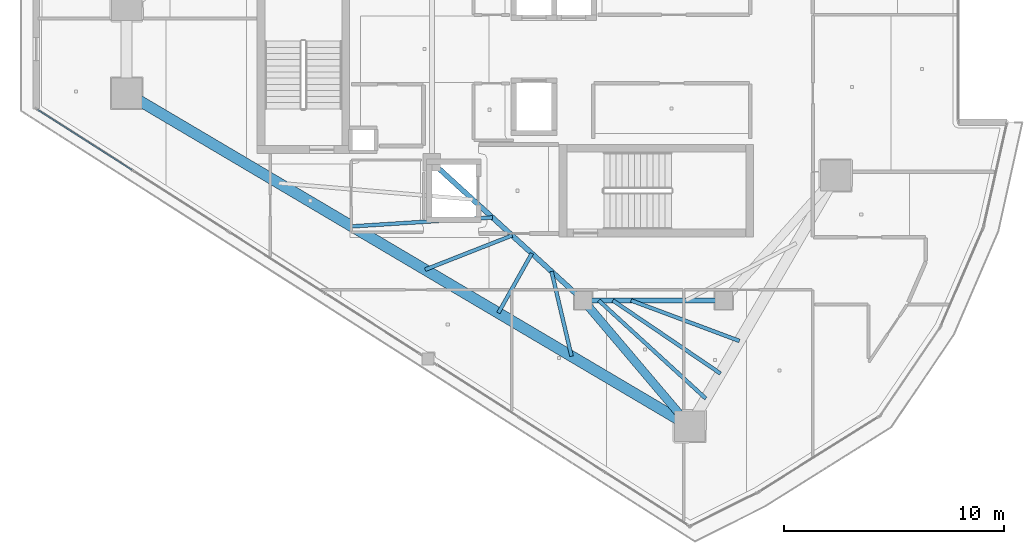
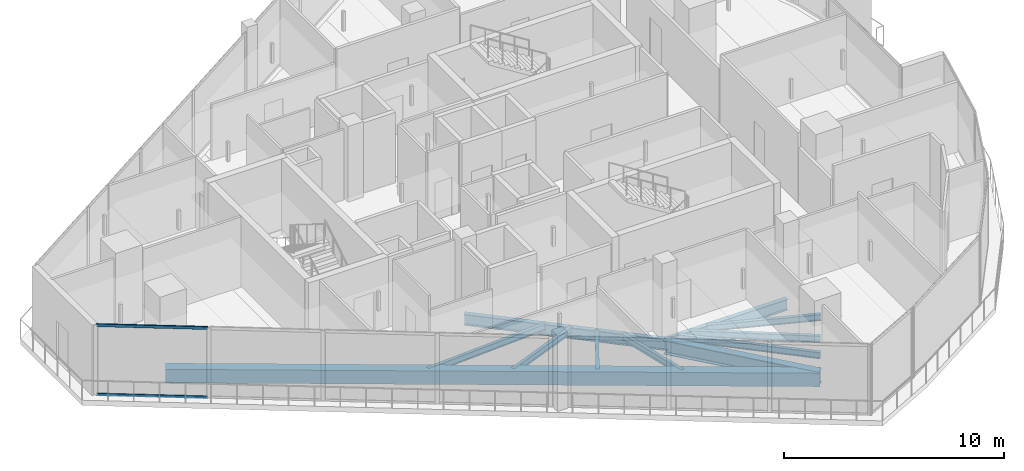
# One storey, part 4 of 23: 11 beams, 2 members, 1 element without a shape of its own.
"""IFC4 building model written with IfcOpenShell, lengths in metres."""

from ifc_helpers import new_model, si_unit, direction, frame, origin, origin_2d, place, context, subcontext, project, spatial, rectangle, hollow_rectangle, i_section, extrude, material, layer, layer_set, material_profile, profile_set, type_object, element, aggregate, save


model = new_model("IFC4")

# Units and contexts
model_context = context("Model", 3, precision=1e-05, world=origin(), true_north=direction((0.0, 1.0)))
body_context = subcontext(model_context, "Body", "Model", "MODEL_VIEW")
ifc_project = project(units=[si_unit("LENGTHUNIT", "METRE"), si_unit("AREAUNIT", "SQUARE_METRE"), si_unit("VOLUMEUNIT", "CUBIC_METRE"), si_unit("PLANEANGLEUNIT", "RADIAN"), si_unit("MASSUNIT", "GRAM", prefix="KILO")], contexts=[model_context])

# Site, building, storey
site_placement = place(None, origin())
site = spatial("IfcSite", under=ifc_project, at=site_placement, CompositionType="ELEMENT")
building_placement = place(site_placement, origin())
building = spatial("IfcBuilding", under=site, at=building_placement, Name="Qorvath Tower", CompositionType="ELEMENT")
storey_placement = place(building_placement, frame((0.0, 0.0, 310.199951171875)))
storey = spatial("IfcBuildingStorey", under=building, at=storey_placement, Name="L72", CompositionType="ELEMENT", Elevation=310.199951171875)

# Beams
ifc_material_1 = material(Name="Steel ASTM A992 Grade 50", Category="steel")
ifc_material_profile_1 = material_profile(ifc_material_1, i_section(OverallWidth=0.381103515625, OverallDepth=0.77294921875, WebThickness=0.0166015625, FlangeThickness=0.027099609375, FilletRadius=0.01904296875, at=origin_2d()), Name="W30x173")
ifc_profile_set_1 = profile_set([ifc_material_profile_1], Name="Steel ASTM A992 Grade 50")
beam_type_1 = type_object("IfcBeamType", Name="BM-FG3", PredefinedType="BEAM", material=ifc_profile_set_1)
beam_1_placement = place(storey_placement, frame((-23.60009765625, -11.449951171875, -0.676513671875), z_axis=(0.646321389876, -0.763065305848, 0.0), x_axis=(0.763065305848, 0.646321389876, 0.0)))
element("IfcBeam", 1, at=beam_1_placement, inside=storey, type_object=beam_type_1, Name="Radial Floor Girder CC4-MC3 L72", PredefinedType="BEAM", context=body_context, shape_type="SweptSolid", body=[
    extrude(i_section(OverallWidth=0.381103515625, OverallDepth=0.77294921875, WebThickness=0.0166015625, FlangeThickness=0.027099609375, FilletRadius=0.01904296875, at=origin_2d()), origin(), (0.0, 0.0, 1.0), 7.50341796875),
])
ifc_material_2 = material(Name="Steel ASTM A992 Grade 50", Category="steel")
ifc_material_profile_2 = material_profile(ifc_material_2, i_section(OverallWidth=0.22998046875, OverallDepth=0.616943359375, WebThickness=0.01318359375, FlangeThickness=0.022216796875, FilletRadius=0.014892578125, at=origin_2d()), Name="W24x94")
ifc_profile_set_2 = profile_set([ifc_material_profile_2], Name="Steel ASTM A992 Grade 50")
beam_type_2 = type_object("IfcBeamType", Name="BM-FG6", PredefinedType="BEAM", material=ifc_profile_set_2)
beam_2_placement = place(storey_placement, frame((-17.199951171875, -11.449951171875, -0.5986328125), z_axis=(-1.0, 0.0, 0.0), x_axis=(0.0, -1.0, 0.0)))
element("IfcBeam", 2, at=beam_2_placement, inside=storey, type_object=beam_type_2, Name="Core Ring Girder CC3-CC4 L72", PredefinedType="BEAM", context=body_context, shape_type="SweptSolid", body=[
    extrude(i_section(OverallWidth=0.22998046875, OverallDepth=0.616943359375, WebThickness=0.01318359375, FlangeThickness=0.022216796875, FilletRadius=0.014892578125, at=origin_2d()), origin(), (0.0, 0.0, 1.0), 6.400146484375),
])
beam_3_placement = place(storey_placement, frame((-23.60009765625, -11.449951171875, -0.5986328125), z_axis=(-0.73847813985, 0.6742774184, 0.0), x_axis=(-0.6742774184, -0.73847813985, 0.0)))
element("IfcBeam", 3, at=beam_3_placement, inside=storey, type_object=beam_type_2, Name="Core Ring Girder CC4-CC6 L72", PredefinedType="BEAM", context=body_context, shape_type="SweptSolid", body=[
    extrude(i_section(OverallWidth=0.22998046875, OverallDepth=0.616943359375, WebThickness=0.01318359375, FlangeThickness=0.022216796875, FilletRadius=0.014892578125, at=origin_2d()), origin(), (0.0, 0.0, 1.0), 9.343505859375),
])
ifc_material_3 = material(Name="Steel ASTM A992 Grade 50", Category="steel")
ifc_material_profile_3 = material_profile(ifc_material_3, i_section(OverallWidth=0.1708984375, OverallDepth=0.35107421875, WebThickness=0.0068359375, FlangeThickness=0.009765625, FilletRadius=0.010009765625, at=origin_2d()), Name="W14x30")
ifc_profile_set_3 = profile_set([ifc_material_profile_3], Name="Steel ASTM A992 Grade 50")
beam_type_3 = type_object("IfcBeamType", Name="BM-FJ4", PredefinedType="JOIST", material=ifc_profile_set_3)
beam_4_placement = place(storey_placement, frame((-21.424072265625, -11.449951171875, -0.465576171875), z_axis=(0.936775909139, -0.349929844478, 0.0), x_axis=(0.349929844478, 0.936775909139, 0.0)))
element("IfcBeam", 4, at=beam_4_placement, inside=storey, type_object=beam_type_3, Name="Composite Floor Joist SE5 L72", PredefinedType="JOIST", context=body_context, shape_type="SweptSolid", body=[
    extrude(i_section(OverallWidth=0.1708984375, OverallDepth=0.35107421875, WebThickness=0.0068359375, FlangeThickness=0.009765625, FilletRadius=0.010009765625, at=origin_2d()), origin(), (0.0, 0.0, 1.0), 5.268798828125),
])
beam_5_placement = place(storey_placement, frame((-22.256103515625, -11.449951171875, -0.465576171875), z_axis=(0.827400561462, -0.56161224247, 0.0), x_axis=(0.56161224247, 0.827400561462, 0.0)))
element("IfcBeam", 5, at=beam_5_placement, inside=storey, type_object=beam_type_3, Name="Composite Floor Joist SE6 L72", PredefinedType="JOIST", context=body_context, shape_type="SweptSolid", body=[
    extrude(i_section(OverallWidth=0.1708984375, OverallDepth=0.35107421875, WebThickness=0.0068359375, FlangeThickness=0.009765625, FilletRadius=0.010009765625, at=origin_2d()), origin(), (0.0, 0.0, 1.0), 5.925537109375),
])
beam_6_placement = place(storey_placement, frame((-22.89599609375, -11.449951171875, -0.465576171875), z_axis=(0.737232260457, -0.675639396528, 0.0), x_axis=(0.675639396528, 0.737232260457, 0.0)))
element("IfcBeam", 6, at=beam_6_placement, inside=storey, type_object=beam_type_3, Name="Composite Floor Joist SE7 L72", PredefinedType="JOIST", context=body_context, shape_type="SweptSolid", body=[
    extrude(i_section(OverallWidth=0.1708984375, OverallDepth=0.35107421875, WebThickness=0.0068359375, FlangeThickness=0.009765625, FilletRadius=0.010009765625, at=origin_2d()), origin(), (0.0, 0.0, 1.0), 6.615478515625),
])
beam_7_placement = place(storey_placement, frame((-27.739990234375, -7.669921875, -0.465576171875), z_axis=(-0.998006998641, -0.063103333222, 0.0), x_axis=(0.063103333222, -0.998006998641, 0.0)))
element("IfcBeam", 7, at=beam_7_placement, inside=storey, type_object=beam_type_3, Name="Composite Floor Joist SW3 L72", PredefinedType="JOIST", context=body_context, shape_type="SweptSolid", body=[
    extrude(i_section(OverallWidth=0.1708984375, OverallDepth=0.35107421875, WebThickness=0.0068359375, FlangeThickness=0.009765625, FilletRadius=0.010009765625, at=origin_2d()), origin(), (0.0, 0.0, 1.0), 6.41455078125),
])
beam_8_placement = place(storey_placement, frame((-26.843017578125, -8.489013671875, -0.465576171875), z_axis=(-0.930720832638, -0.365730408489, 0.0), x_axis=(0.365730408489, -0.930720832638, 0.0)))
element("IfcBeam", 8, at=beam_8_placement, inside=storey, type_object=beam_type_3, Name="Composite Floor Joist SW4 L72", PredefinedType="JOIST", context=body_context, shape_type="SweptSolid", body=[
    extrude(i_section(OverallWidth=0.1708984375, OverallDepth=0.35107421875, WebThickness=0.0068359375, FlangeThickness=0.009765625, FilletRadius=0.010009765625, at=origin_2d()), origin(), (0.0, 0.0, 1.0), 4.259033203125),
])
beam_9_placement = place(storey_placement, frame((-25.946044921875, -9.30810546875, -0.465576171875), z_axis=(-0.490626385489, -0.871370041866, 0.0), x_axis=(0.871370041866, -0.490626385489, 0.0)))
element("IfcBeam", 9, at=beam_9_placement, inside=storey, type_object=beam_type_3, Name="Composite Floor Joist SW5 L72", PredefinedType="JOIST", context=body_context, shape_type="SweptSolid", body=[
    extrude(i_section(OverallWidth=0.1708984375, OverallDepth=0.35107421875, WebThickness=0.0068359375, FlangeThickness=0.009765625, FilletRadius=0.010009765625, at=origin_2d()), origin(), (0.0, 0.0, 1.0), 3.110595703125),
])
beam_10_placement = place(storey_placement, frame((-25.049072265625, -10.126953125, -0.465576171875), z_axis=(0.22966321917, -0.973270160726, 0.0), x_axis=(0.973270160726, 0.22966321917, 0.0)))
element("IfcBeam", 10, at=beam_10_placement, inside=storey, type_object=beam_type_3, Name="Composite Floor Joist SW6 L72", PredefinedType="JOIST", context=body_context, shape_type="SweptSolid", body=[
    extrude(i_section(OverallWidth=0.1708984375, OverallDepth=0.35107421875, WebThickness=0.0068359375, FlangeThickness=0.009765625, FilletRadius=0.010009765625, at=origin_2d()), origin(), (0.0, 0.0, 1.0), 3.969482421875),
])
ifc_material_4 = material(Name="Concrete C45/55", Category="concrete")
ifc_material_profile_4 = material_profile(ifc_material_4, rectangle(XDim=0.5, YDim=0.75, at=origin_2d()), Name="RCB 750x500")
ifc_profile_set_4 = profile_set([ifc_material_profile_4], Name="Concrete C45/55")
beam_type_4 = type_object("IfcBeamType", Name="BM-RCB3", PredefinedType="SPANDREL", material=ifc_profile_set_4)
beam_11_placement = place(storey_placement, frame((-44.402587890625, -2.007568359375, -0.6650390625), z_axis=(0.860780849348, -0.508975765038, 0.0), x_axis=(0.508975765038, 0.860780849348, 0.0)))
element("IfcBeam", 11, at=beam_11_placement, inside=storey, type_object=beam_type_4, Name="Perimeter Loggia Frame Beam MC2-MC3 L72", PredefinedType="SPANDREL", context=body_context, shape_type="SweptSolid", body=[
    extrude(rectangle(XDim=0.5, YDim=0.75, at=origin_2d()), origin(), (0.0, 0.0, 1.0), 29.801025390625),
])

# Curtain wall, members
ifc_material_5 = material(Name="Anodised aluminium and triple low-E glass", Category="aluminium")
ifc_layer = layer(ifc_material_5, 0.179931640625)
ifc_layer_set = layer_set([ifc_layer], Name="CW-SYS-4")
curtain_wall_type = type_object("IfcCurtainWallType", Name="CW-SYS-4", PredefinedType="NOTDEFINED", material=ifc_layer_set)
curtain_wall_placement = place(storey_placement, origin())
curtain_wall = element("IfcCurtainWall", 12, at=curtain_wall_placement, inside=storey, type_object=curtain_wall_type, Name="Curtain Wall CW-4 CW-T-L72-2.1", PredefinedType="NOTDEFINED")
ifc_material_6 = material(Name="Anodised aluminium 6063-T6", Category="aluminium")
ifc_material_profile_5 = material_profile(ifc_material_6, hollow_rectangle(XDim=0.06494140625, YDim=0.159912109375, WallThickness=0.00341796875, InnerFilletRadius=0.00341796875, OuterFilletRadius=0.007080078125, at=origin_2d()), Name="CWT 160x65")
ifc_profile_set_5 = profile_set([ifc_material_profile_5], Name="Anodised aluminium 6063-T6")
member_type = type_object("IfcMemberType", Name="CWT-160", PredefinedType="USERDEFINED", material=ifc_profile_set_5)
member_1_placement = place(storey_placement, frame((-48.460205078125, -2.7587890625, 0.032470703125), z_axis=(0.84260068815, -0.538538838274, 0.0), x_axis=(0.538538838274, 0.84260068815, 0.0)))
member_1 = element("IfcMember", 13, at=member_1_placement, type_object=member_type, Name="CW-4 transom 1.1", ObjectType="TRANSOM", PredefinedType="USERDEFINED", context=body_context, shape_type="SweptSolid", body=[
    extrude(hollow_rectangle(XDim=0.06494140625, YDim=0.159912109375, WallThickness=0.00341796875, InnerFilletRadius=0.00341796875, OuterFilletRadius=0.007080078125, at=origin_2d()), origin(), (0.0, 0.0, 1.0), 5.08740234375),
])
member_2_placement = place(storey_placement, frame((-48.460205078125, -2.7587890625, 3.877685546875), z_axis=(0.84260068815, -0.538538838274, 0.0), x_axis=(0.538538838274, 0.84260068815, 0.0)))
member_2 = element("IfcMember", 14, at=member_2_placement, type_object=member_type, Name="CW-4 transom 1.2", ObjectType="TRANSOM", PredefinedType="USERDEFINED", context=body_context, shape_type="SweptSolid", body=[
    extrude(hollow_rectangle(XDim=0.06494140625, YDim=0.159912109375, WallThickness=0.00341796875, InnerFilletRadius=0.00341796875, OuterFilletRadius=0.007080078125, at=origin_2d()), origin(), (0.0, 0.0, 1.0), 5.08740234375),
])
aggregate(curtain_wall, [member_1, member_2])

save(model, "model.ifc")
